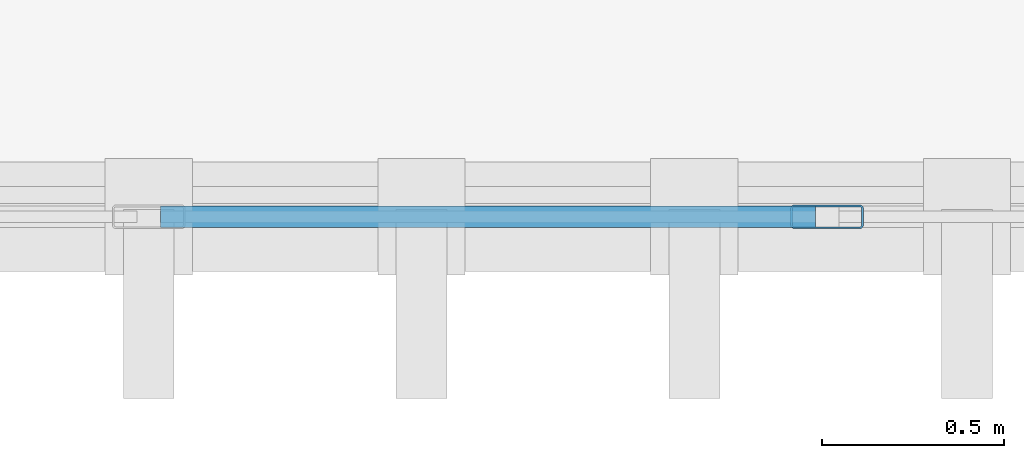
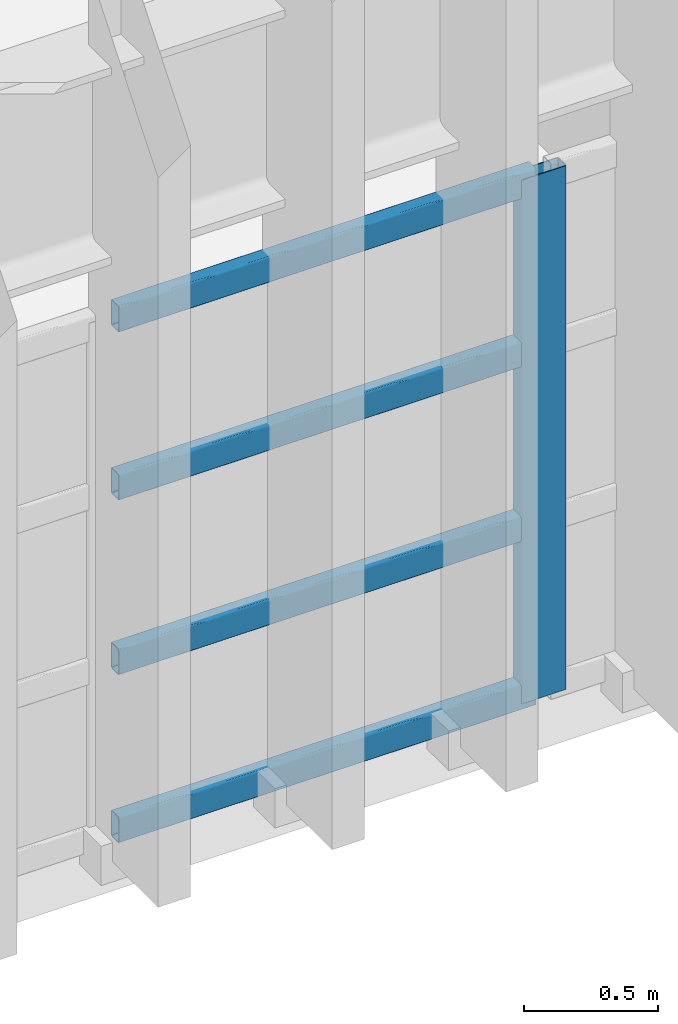
# One storey, part 43 of 101: 5 members, 1 element without a shape of its own.
"""IFC4 building model written with IfcOpenShell, lengths in metres."""

from ifc_helpers import new_model, si_unit, direction, frame, origin, origin_2d, place, context, subcontext, project, spatial, hollow_rectangle, extrude, material, material_profile, profile_set, type_object, element, aggregate, save


model = new_model("IFC4")

# Units and contexts
model_context = context("Model", 3, precision=1e-05, world=origin(), true_north=direction((0.0, 1.0)))
body_context = subcontext(model_context, "Body", "Model", "MODEL_VIEW")
ifc_project = project(units=[si_unit("LENGTHUNIT", "METRE"), si_unit("AREAUNIT", "SQUARE_METRE"), si_unit("VOLUMEUNIT", "CUBIC_METRE"), si_unit("PLANEANGLEUNIT", "RADIAN"), si_unit("MASSUNIT", "GRAM", prefix="KILO")], contexts=[model_context])

# Site, building, storey
site_placement = place(None, origin())
site = spatial("IfcSite", under=ifc_project, at=site_placement, CompositionType="ELEMENT")
building_placement = place(site_placement, origin())
building = spatial("IfcBuilding", under=site, at=building_placement, Name="Qasida Concert Hall", CompositionType="ELEMENT")
storey_placement = place(building_placement, frame((0.0, 0.0, 13.199951171875)))
storey = spatial("IfcBuildingStorey", under=building, at=storey_placement, Name="L03", CompositionType="ELEMENT", Elevation=13.199951171875)

# Curtain wall, members
ifc_material_1 = material(Name="Architectural bronze-anodized aluminium and low-E glass", Category="aluminium")
curtain_wall_type = type_object("IfcCurtainWallType", Name="CW-04", PredefinedType="NOTDEFINED", material=ifc_material_1)
curtain_wall_placement = place(storey_placement, origin())
curtain_wall = element("IfcCurtainWall", 1, at=curtain_wall_placement, inside=storey, type_object=curtain_wall_type, Name="L03 curtain wall CW-04 0020", PredefinedType="NOTDEFINED")
ifc_material_2 = material(Name="Architectural bronze-anodized aluminium EN AW-6063", Category="aluminium")
ifc_material_profile_1 = material_profile(ifc_material_2, hollow_rectangle(XDim=0.06494140625, YDim=0.199951171875, WallThickness=0.0048828125, InnerFilletRadius=0.0048828125, OuterFilletRadius=0.010009765625, at=origin_2d()), Name="CWM 200x65x5")
ifc_profile_set_1 = profile_set([ifc_material_profile_1], Name="Architectural bronze-anodized aluminium EN AW-6063")
member_type_1 = type_object("IfcMemberType", Name="MB-CWM-2", PredefinedType="MULLION", material=ifc_profile_set_1)
member_1_placement = place(storey_placement, frame((95.614990234375, 14.699951171875, 0.0), z_axis=(0.0, 0.0, 1.0), x_axis=(0.0, 1.0, 0.0)))
member_1 = element("IfcMember", 2, at=member_1_placement, type_object=member_type_1, Name="CW-04 mullion 4", PredefinedType="MULLION", context=body_context, shape_type="SweptSolid", body=[
    extrude(hollow_rectangle(XDim=0.06494140625, YDim=0.199951171875, WallThickness=0.0048828125, InnerFilletRadius=0.0048828125, OuterFilletRadius=0.010009765625, at=origin_2d()), origin(), (0.0, 0.0, 1.0), 2.39013671875),
])
ifc_material_profile_2 = material_profile(ifc_material_2, hollow_rectangle(XDim=0.06005859375, YDim=0.1201171875, WallThickness=0.00390625, InnerFilletRadius=0.00390625, OuterFilletRadius=0.008056640625, at=origin_2d()), Name="CWT 120x60x4")
ifc_profile_set_2 = profile_set([ifc_material_profile_2], Name="Architectural bronze-anodized aluminium EN AW-6063")
member_type_2 = type_object("IfcMemberType", Name="MB-CWT-2", PredefinedType="USERDEFINED", material=ifc_profile_set_2)
member_2_placement = place(storey_placement, frame((93.782470703125, 14.699951171875, 0.030029296875), z_axis=(1.0, 0.0, 0.0), x_axis=(0.0, 1.0, 0.0)))
member_2 = element("IfcMember", 3, at=member_2_placement, type_object=member_type_2, Name="CW-04 transom 3.1", ObjectType="TRANSOM", PredefinedType="USERDEFINED", context=body_context, shape_type="SweptSolid", body=[
    extrude(hollow_rectangle(XDim=0.06005859375, YDim=0.1201171875, WallThickness=0.00390625, InnerFilletRadius=0.00390625, OuterFilletRadius=0.008056640625, at=origin_2d()), origin(), (0.0, 0.0, 1.0), 1.800048828125),
])
member_3_placement = place(storey_placement, frame((93.782470703125, 14.699951171875, 0.796630859375), z_axis=(1.0, 0.0, 0.0), x_axis=(0.0, 1.0, 0.0)))
member_3 = element("IfcMember", 4, at=member_3_placement, type_object=member_type_2, Name="CW-04 transom 3.2", ObjectType="TRANSOM", PredefinedType="USERDEFINED", context=body_context, shape_type="SweptSolid", body=[
    extrude(hollow_rectangle(XDim=0.06005859375, YDim=0.1201171875, WallThickness=0.00390625, InnerFilletRadius=0.00390625, OuterFilletRadius=0.008056640625, at=origin_2d()), origin(), (0.0, 0.0, 1.0), 1.800048828125),
])
member_4_placement = place(storey_placement, frame((93.782470703125, 14.699951171875, 1.59326171875), z_axis=(1.0, 0.0, 0.0), x_axis=(0.0, 1.0, 0.0)))
member_4 = element("IfcMember", 5, at=member_4_placement, type_object=member_type_2, Name="CW-04 transom 3.3", ObjectType="TRANSOM", PredefinedType="USERDEFINED", context=body_context, shape_type="SweptSolid", body=[
    extrude(hollow_rectangle(XDim=0.06005859375, YDim=0.1201171875, WallThickness=0.00390625, InnerFilletRadius=0.00390625, OuterFilletRadius=0.008056640625, at=origin_2d()), origin(), (0.0, 0.0, 1.0), 1.800048828125),
])
member_5_placement = place(storey_placement, frame((93.782470703125, 14.699951171875, 2.360107421875), z_axis=(1.0, 0.0, 0.0), x_axis=(0.0, 1.0, 0.0)))
member_5 = element("IfcMember", 6, at=member_5_placement, type_object=member_type_2, Name="CW-04 transom 3.4", ObjectType="TRANSOM", PredefinedType="USERDEFINED", context=body_context, shape_type="SweptSolid", body=[
    extrude(hollow_rectangle(XDim=0.06005859375, YDim=0.1201171875, WallThickness=0.00390625, InnerFilletRadius=0.00390625, OuterFilletRadius=0.008056640625, at=origin_2d()), origin(), (0.0, 0.0, 1.0), 1.800048828125),
])
aggregate(curtain_wall, [member_1, member_2, member_3, member_4, member_5])

save(model, "model.ifc")
